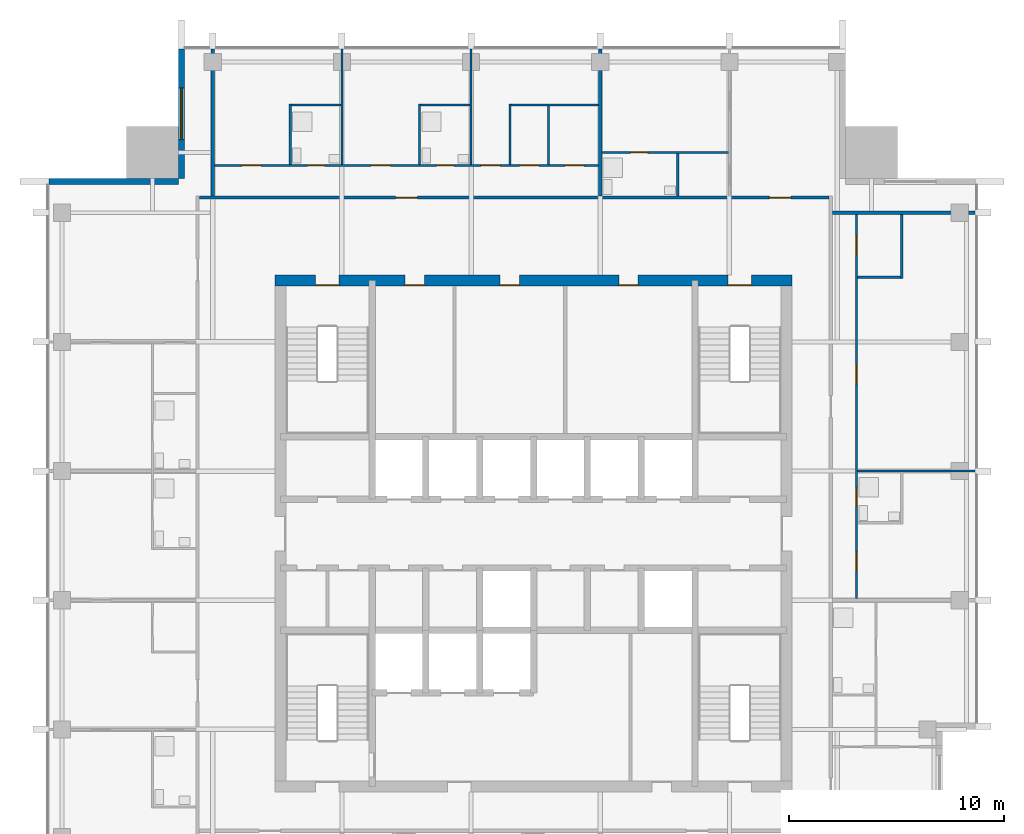
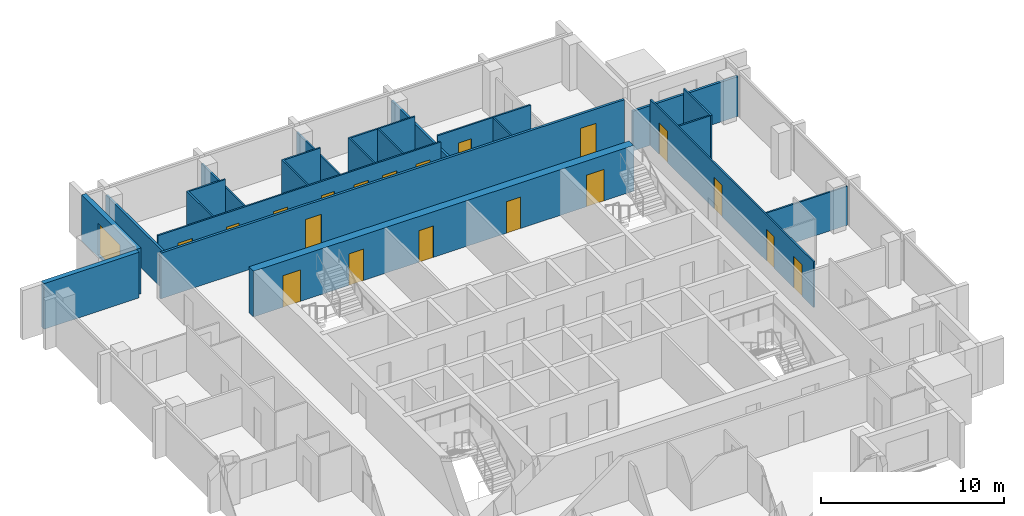
# One storey, part 6 of 9: 23 walls, 19 doors, 1 window, 20 openings.
"""IFC4 building model written with IfcOpenShell, lengths in metres."""

from ifc_helpers import new_model, si_unit, direction, frame, frame_2d, origin, place, context, subcontext, project, spatial, rectangle, extrude, material, layer, layer_set, type_object, element, fill, save


model = new_model("IFC4")

# Units and contexts
model_context = context("Model", 3, precision=1e-05, world=origin(), true_north=direction((0.0, 1.0)))
body_context = subcontext(model_context, "Body", "Model", "MODEL_VIEW")
ifc_project = project(units=[si_unit("LENGTHUNIT", "METRE"), si_unit("AREAUNIT", "SQUARE_METRE"), si_unit("VOLUMEUNIT", "CUBIC_METRE"), si_unit("PLANEANGLEUNIT", "RADIAN"), si_unit("MASSUNIT", "GRAM", prefix="KILO")], contexts=[model_context])

# Site, building, storey
site_placement = place(None, origin())
site = spatial("IfcSite", under=ifc_project, at=site_placement, CompositionType="ELEMENT")
building_placement = place(site_placement, origin())
building = spatial("IfcBuilding", under=site, at=building_placement, Name="Amberfall Residences", CompositionType="ELEMENT")
storey_placement = place(building_placement, frame((0.0, 0.0, 252.10009765625)))
storey = spatial("IfcBuildingStorey", under=building, at=storey_placement, Name="L67", CompositionType="ELEMENT", Elevation=252.10009765625)

# Wall, opening, window
ifc_material_1 = material(Name="Pale stone cladding on insulated backing", Category="masonry")
ifc_layer_1 = layer(ifc_material_1, 0.300048828125)
ifc_layer_set_1 = layer_set([ifc_layer_1], Name="Bronze clad wall 300")
wall_type_1 = type_object("IfcWallType", Name="Bronze clad wall 300", PredefinedType="SOLIDWALL", material=ifc_layer_set_1)
wall_1_placement = place(storey_placement, frame((58.14990234375, 68.0, 0.0), z_axis=(0.0, 0.0, 1.0), x_axis=(0.0, -1.0, 0.0)))
wall_1 = element("IfcWall", 1, at=wall_1_placement, inside=storey, type_object=wall_type_1, Name="External wall L67 NW", PredefinedType="SOLIDWALL", context=body_context, shape_type="SweptSolid", body=[
    extrude(rectangle(XDim=6.0, YDim=0.300048828125, at=frame_2d((3.0, 0.0))), origin(), (0.0, 0.0, 1.0), 3.0498046875),
])
opening_1_placement = place(wall_1_placement, frame((1.800048828125, 0.0, 0.14990234375)))
opening_1 = element("IfcOpeningElement", 2, at=opening_1_placement, cuts=wall_1, Name="Opening WN5", PredefinedType="OPENING", context=body_context, shape_type="SweptSolid", body=[
    extrude(rectangle(XDim=2.39990234375, YDim=2.10009765625, at=frame_2d((1.199951171875, 1.050048828125))), frame((0.0, 0.159912109375, 0.0), z_axis=(0.0, -1.0, 0.0), x_axis=(1.0, 0.0, 0.0)), (0.0, 0.0, 1.0), 0.320068359375),
])
ifc_material_2 = material(Name="Bronze aluminium framed glazing", Category="aluminium")
window_type = type_object("IfcWindowType", Name="Glazed opening 2400 x 2100 bronze", PartitioningType="DOUBLE_PANEL_VERTICAL", PredefinedType="WINDOW", material=ifc_material_2)
window_placement = place(opening_1_placement, origin())
window = element("IfcWindow", 3, at=window_placement, inside=storey, type_object=window_type, Name="Window L67 NW", OverallHeight=2.10009765625, OverallWidth=2.39990234375, PartitioningType="DOUBLE_PANEL_VERTICAL", PredefinedType="WINDOW", context=body_context, shape_type="SweptSolid", body=[
    extrude(rectangle(XDim=2.39990234375, YDim=2.10009765625, at=frame_2d((1.199951171875, 1.050048828125))), frame((0.0, 0.030029296875, 0.0), z_axis=(0.0, -1.0, 0.0), x_axis=(1.0, 0.0, 0.0)), (0.0, 0.0, 1.0), 0.06005859375),
])
fill(opening_1, window)

# Wall
wall_2_placement = place(storey_placement, frame((58.0, 61.85009765625, 0.0), z_axis=(0.0, 0.0, 1.0), x_axis=(-1.0, 0.0, 0.0)))
element("IfcWall", 4, at=wall_2_placement, inside=storey, type_object=wall_type_1, Name="External wall L67 NW", PredefinedType="SOLIDWALL", context=body_context, shape_type="SweptSolid", body=[
    extrude(rectangle(XDim=6.0, YDim=0.300048828125, at=frame_2d((3.0, 0.0))), origin(), (0.0, 0.0, 1.0), 3.0498046875),
])

# Wall, openings, doors
ifc_material_3 = material(Name="Concrete C50", Category="concrete")
ifc_layer_2 = layer(ifc_material_3, 0.5)
ifc_layer_set_2 = layer_set([ifc_layer_2], Name="Core wall 500 C50")
wall_type_2 = type_object("IfcWallType", Name="Core wall 500 C50", PredefinedType="SHEAR", material=ifc_layer_set_2)
wall_3_placement = place(storey_placement, frame((62.5, 57.25, 0.0), z_axis=(0.0, 0.0, 1.0), x_axis=(1.0, 0.0, 0.0)))
wall_3 = element("IfcWall", 5, at=wall_3_placement, inside=storey, type_object=wall_type_2, Name="Core wall RW9 L67 ON", PredefinedType="SHEAR", context=body_context, shape_type="SweptSolid", body=[
    extrude(rectangle(XDim=24.0, YDim=0.5, at=frame_2d((12.0, 0.0))), origin(), (0.0, 0.0, 1.0), 3.0498046875),
])
opening_2_placement = place(wall_3_placement, frame((21.02490234375, 0.0, 0.0)))
opening_2 = element("IfcOpeningElement", 6, at=opening_2_placement, cuts=wall_3, Name="Opening SD1", PredefinedType="OPENING", context=body_context, shape_type="SweptSolid", body=[
    extrude(rectangle(XDim=1.10009765625, YDim=2.10009765625, at=frame_2d((0.550048828125, 1.050048828125))), frame((0.0, 0.260009765625, 0.0), z_axis=(0.0, -1.0, 0.0), x_axis=(1.0, 0.0, 0.0)), (0.0, 0.0, 1.0), 0.52001953125),
])
opening_3_placement = place(wall_3_placement, frame((1.875, 0.0, 0.0)))
opening_3 = element("IfcOpeningElement", 7, at=opening_3_placement, cuts=wall_3, Name="Opening SD1", PredefinedType="OPENING", context=body_context, shape_type="SweptSolid", body=[
    extrude(rectangle(XDim=1.10009765625, YDim=2.10009765625, at=frame_2d((0.550048828125, 1.050048828125))), frame((0.0, 0.260009765625, 0.0), z_axis=(0.0, -1.0, 0.0), x_axis=(1.0, 0.0, 0.0)), (0.0, 0.0, 1.0), 0.52001953125),
])
opening_4_placement = place(wall_3_placement, frame((6.03759765625, 0.0, 0.0)))
opening_4 = element("IfcOpeningElement", 8, at=opening_4_placement, cuts=wall_3, Name="Opening RD1", PredefinedType="OPENING", context=body_context, shape_type="SweptSolid", body=[
    extrude(rectangle(XDim=0.89990234375, YDim=2.10009765625, at=frame_2d((0.449951171875, 1.050048828125))), frame((0.0, 0.260009765625, 0.0), z_axis=(0.0, -1.0, 0.0), x_axis=(1.0, 0.0, 0.0)), (0.0, 0.0, 1.0), 0.52001953125),
])
opening_5_placement = place(wall_3_placement, frame((10.447509765625, 0.0, 0.0)))
opening_5 = element("IfcOpeningElement", 9, at=opening_5_placement, cuts=wall_3, Name="Opening RD1", PredefinedType="OPENING", context=body_context, shape_type="SweptSolid", body=[
    extrude(rectangle(XDim=0.89990234375, YDim=2.10009765625, at=frame_2d((0.449951171875, 1.050048828125))), frame((0.0, 0.260009765625, 0.0), z_axis=(0.0, -1.0, 0.0), x_axis=(1.0, 0.0, 0.0)), (0.0, 0.0, 1.0), 0.52001953125),
])
opening_6_placement = place(wall_3_placement, frame((15.9599609375, 0.0, 0.0)))
opening_6 = element("IfcOpeningElement", 10, at=opening_6_placement, cuts=wall_3, Name="Opening RD1", PredefinedType="OPENING", context=body_context, shape_type="SweptSolid", body=[
    extrude(rectangle(XDim=0.89990234375, YDim=2.10009765625, at=frame_2d((0.449951171875, 1.050048828125))), frame((0.0, 0.260009765625, 0.0), z_axis=(0.0, -1.0, 0.0), x_axis=(1.0, 0.0, 0.0)), (0.0, 0.0, 1.0), 0.52001953125),
])
ifc_material_4 = material(Name="Steel fire door set", Category="steel")
door_type_1 = type_object("IfcDoorType", Name="Service room door 900 x 2100", OperationType="SINGLE_SWING_LEFT", PredefinedType="DOOR", material=ifc_material_4)
door_1_placement = place(opening_4_placement, origin())
door_1 = element("IfcDoor", 11, at=door_1_placement, inside=storey, type_object=door_type_1, Name="RD1 L67", OperationType="SINGLE_SWING_RIGHT", OverallHeight=2.10009765625, OverallWidth=0.89990234375, PredefinedType="DOOR", context=body_context, shape_type="SweptSolid", body=[
    extrude(rectangle(XDim=0.89990234375, YDim=2.10009765625, at=frame_2d((0.449951171875, 1.050048828125))), frame((0.0, -0.1875, 0.0), z_axis=(0.0, -1.0, 0.0), x_axis=(1.0, 0.0, 0.0)), (0.0, 0.0, 1.0), 0.050048828125),
])
fill(opening_4, door_1)
door_2_placement = place(opening_5_placement, origin())
door_2 = element("IfcDoor", 12, at=door_2_placement, inside=storey, type_object=door_type_1, Name="RD1 L67", OperationType="SINGLE_SWING_RIGHT", OverallHeight=2.10009765625, OverallWidth=0.89990234375, PredefinedType="DOOR", context=body_context, shape_type="SweptSolid", body=[
    extrude(rectangle(XDim=0.89990234375, YDim=2.10009765625, at=frame_2d((0.449951171875, 1.050048828125))), frame((0.0, -0.1875, 0.0), z_axis=(0.0, -1.0, 0.0), x_axis=(1.0, 0.0, 0.0)), (0.0, 0.0, 1.0), 0.050048828125),
])
fill(opening_5, door_2)
door_3_placement = place(opening_6_placement, origin())
door_3 = element("IfcDoor", 13, at=door_3_placement, inside=storey, type_object=door_type_1, Name="RD1 L67", OperationType="SINGLE_SWING_RIGHT", OverallHeight=2.10009765625, OverallWidth=0.89990234375, PredefinedType="DOOR", context=body_context, shape_type="SweptSolid", body=[
    extrude(rectangle(XDim=0.89990234375, YDim=2.10009765625, at=frame_2d((0.449951171875, 1.050048828125))), frame((0.0, -0.1875, 0.0), z_axis=(0.0, -1.0, 0.0), x_axis=(1.0, 0.0, 0.0)), (0.0, 0.0, 1.0), 0.050048828125),
])
fill(opening_6, door_3)
door_type_2 = type_object("IfcDoorType", Name="Stair door 1100 x 2100", OperationType="SINGLE_SWING_LEFT", PredefinedType="DOOR", material=ifc_material_4)
door_4_placement = place(opening_2_placement, origin())
door_4 = element("IfcDoor", 14, at=door_4_placement, inside=storey, type_object=door_type_2, Name="SD1 L67", OperationType="SINGLE_SWING_RIGHT", OverallHeight=2.10009765625, OverallWidth=1.10009765625, PredefinedType="DOOR", context=body_context, shape_type="SweptSolid", body=[
    extrude(rectangle(XDim=1.10009765625, YDim=2.10009765625, at=frame_2d((0.550048828125, 1.050048828125))), frame((0.0, -0.1875, 0.0), z_axis=(0.0, -1.0, 0.0), x_axis=(1.0, 0.0, 0.0)), (0.0, 0.0, 1.0), 0.050048828125),
])
fill(opening_2, door_4)
door_5_placement = place(opening_3_placement, origin())
door_5 = element("IfcDoor", 15, at=door_5_placement, inside=storey, type_object=door_type_2, Name="SD1 L67", OperationType="SINGLE_SWING_LEFT", OverallHeight=2.10009765625, OverallWidth=1.10009765625, PredefinedType="DOOR", context=body_context, shape_type="SweptSolid", body=[
    extrude(rectangle(XDim=1.10009765625, YDim=2.10009765625, at=frame_2d((0.550048828125, 1.050048828125))), frame((0.0, -0.1875, 0.0), z_axis=(0.0, -1.0, 0.0), x_axis=(1.0, 0.0, 0.0)), (0.0, 0.0, 1.0), 0.050048828125),
])
fill(opening_3, door_5)

# Walls
ifc_material_5 = material(Name="Gypsum board on metal stud")
ifc_layer_3 = layer(ifc_material_5, 0.10009765625)
ifc_layer_set_3 = layer_set([ifc_layer_3], Name="Flat partition 100")
wall_type_3 = type_object("IfcWallType", Name="Flat partition 100", PredefinedType="PARTITIONING", material=ifc_layer_set_3)
wall_4_placement = place(storey_placement, frame((63.199951171875, 62.64990234375, 0.0), z_axis=(0.0, 0.0, 1.0), x_axis=(0.0, 1.0, 0.0)))
element("IfcWall", 16, at=wall_4_placement, inside=storey, type_object=wall_type_3, Name="Partition 004", PredefinedType="PARTITIONING", context=body_context, shape_type="SweptSolid", body=[
    extrude(rectangle(XDim=2.800048828125, YDim=0.10009765625, at=frame_2d((1.39990234375, 0.0))), origin(), (0.0, 0.0, 1.0), 3.0498046875),
])
wall_5_placement = place(storey_placement, frame((65.60009765625, 62.64990234375, 0.0), z_axis=(0.0, 0.0, 1.0), x_axis=(0.0, 1.0, 0.0)))
element("IfcWall", 17, at=wall_5_placement, inside=storey, type_object=wall_type_3, Name="Partition 006", PredefinedType="PARTITIONING", context=body_context, shape_type="SweptSolid", body=[
    extrude(rectangle(XDim=5.35009765625, YDim=0.10009765625, at=frame_2d((2.675048828125, 0.0))), origin(), (0.0, 0.0, 1.0), 2.515869140625),
])
wall_6_placement = place(storey_placement, frame((69.199951171875, 62.64990234375, 0.0), z_axis=(0.0, 0.0, 1.0), x_axis=(0.0, 1.0, 0.0)))
element("IfcWall", 18, at=wall_6_placement, inside=storey, type_object=wall_type_3, Name="Partition 008", PredefinedType="PARTITIONING", context=body_context, shape_type="SweptSolid", body=[
    extrude(rectangle(XDim=2.800048828125, YDim=0.10009765625, at=frame_2d((1.39990234375, 0.0))), origin(), (0.0, 0.0, 1.0), 3.0498046875),
])
wall_7_placement = place(storey_placement, frame((71.60009765625, 62.64990234375, 0.0), z_axis=(0.0, 0.0, 1.0), x_axis=(0.0, 1.0, 0.0)))
element("IfcWall", 19, at=wall_7_placement, inside=storey, type_object=wall_type_3, Name="Partition 009", PredefinedType="PARTITIONING", context=body_context, shape_type="SweptSolid", body=[
    extrude(rectangle(XDim=5.35009765625, YDim=0.10009765625, at=frame_2d((2.675048828125, 0.0))), origin(), (0.0, 0.0, 1.0), 2.515869140625),
])
wall_8_placement = place(storey_placement, frame((73.39990234375, 62.64990234375, 0.0), z_axis=(0.0, 0.0, 1.0), x_axis=(0.0, 1.0, 0.0)))
element("IfcWall", 20, at=wall_8_placement, inside=storey, type_object=wall_type_3, Name="Partition 010", PredefinedType="PARTITIONING", context=body_context, shape_type="SweptSolid", body=[
    extrude(rectangle(XDim=2.800048828125, YDim=0.10009765625, at=frame_2d((1.39990234375, 0.0))), origin(), (0.0, 0.0, 1.0), 3.0498046875),
])
wall_9_placement = place(storey_placement, frame((75.199951171875, 62.64990234375, 0.0), z_axis=(0.0, 0.0, 1.0), x_axis=(0.0, 1.0, 0.0)))
element("IfcWall", 21, at=wall_9_placement, inside=storey, type_object=wall_type_3, Name="Partition 012", PredefinedType="PARTITIONING", context=body_context, shape_type="SweptSolid", body=[
    extrude(rectangle(XDim=2.7001953125, YDim=0.10009765625, at=frame_2d((1.35009765625, 0.0))), origin(), (0.0, 0.0, 1.0), 3.0498046875),
])
wall_10_placement = place(storey_placement, frame((81.199951171875, 61.175048828125, 0.0), z_axis=(0.0, 0.0, 1.0), x_axis=(0.0, 1.0, 0.0)))
element("IfcWall", 22, at=wall_10_placement, inside=storey, type_object=wall_type_3, Name="Partition 014", PredefinedType="PARTITIONING", context=body_context, shape_type="SweptSolid", body=[
    extrude(rectangle(XDim=1.974853515625, YDim=0.10009765625, at=frame_2d((0.9873046875, 0.0))), origin(), (0.0, 0.0, 1.0), 3.0498046875),
])

# Wall, openings, doors
wall_11_placement = place(storey_placement, frame((89.5, 60.324951171875, 0.0), z_axis=(0.0, 0.0, 1.0), x_axis=(0.0, -1.0, 0.0)))
wall_11 = element("IfcWall", 23, at=wall_11_placement, inside=storey, type_object=wall_type_3, Name="Partition 017", PredefinedType="PARTITIONING", context=body_context, shape_type="SweptSolid", body=[
    extrude(rectangle(XDim=17.849853515625, YDim=0.10009765625, at=frame_2d((8.9248046875, 0.0))), origin(), (0.0, 0.0, 1.0), 3.0498046875),
])
opening_7_placement = place(wall_11_placement, frame((6.97509765625, 0.0, 0.0)))
opening_7 = element("IfcOpeningElement", 24, at=opening_7_placement, cuts=wall_11, Name="Opening D41", PredefinedType="OPENING", context=body_context, shape_type="SweptSolid", body=[
    extrude(rectangle(XDim=0.89990234375, YDim=2.10009765625, at=frame_2d((0.449951171875, 1.050048828125))), frame((0.0, 0.06005859375, 0.0), z_axis=(0.0, -1.0, 0.0), x_axis=(1.0, 0.0, 0.0)), (0.0, 0.0, 1.0), 0.1201171875),
])
opening_8_placement = place(wall_11_placement, frame((0.97509765625, 0.0, 0.0)))
opening_8 = element("IfcOpeningElement", 25, at=opening_8_placement, cuts=wall_11, Name="Opening D41", PredefinedType="OPENING", context=body_context, shape_type="SweptSolid", body=[
    extrude(rectangle(XDim=0.89990234375, YDim=2.10009765625, at=frame_2d((0.449951171875, 1.050048828125))), frame((0.0, 0.06005859375, 0.0), z_axis=(0.0, -1.0, 0.0), x_axis=(1.0, 0.0, 0.0)), (0.0, 0.0, 1.0), 0.1201171875),
])
opening_9_placement = place(wall_11_placement, frame((15.675048828125, 0.0, 0.0)))
opening_9 = element("IfcOpeningElement", 26, at=opening_9_placement, cuts=wall_11, Name="Opening D41", PredefinedType="OPENING", context=body_context, shape_type="SweptSolid", body=[
    extrude(rectangle(XDim=0.89990234375, YDim=2.10009765625, at=frame_2d((0.449951171875, 1.050048828125))), frame((0.0, 0.06005859375, 0.0), z_axis=(0.0, -1.0, 0.0), x_axis=(1.0, 0.0, 0.0)), (0.0, 0.0, 1.0), 0.1201171875),
])
opening_10_placement = place(wall_11_placement, frame((12.72509765625, 0.0, 0.0)))
opening_10 = element("IfcOpeningElement", 27, at=opening_10_placement, cuts=wall_11, Name="Opening D42", PredefinedType="OPENING", context=body_context, shape_type="SweptSolid", body=[
    extrude(rectangle(XDim=0.800048828125, YDim=2.10009765625, at=frame_2d((0.39990234375, 1.050048828125))), frame((0.0, 0.06005859375, 0.0), z_axis=(0.0, -1.0, 0.0), x_axis=(1.0, 0.0, 0.0)), (0.0, 0.0, 1.0), 0.1201171875),
])
ifc_material_6 = material(Name="Timber", Category="wood")
door_type_3 = type_object("IfcDoorType", Name="Bathroom door 800 x 2100", OperationType="SINGLE_SWING_LEFT", PredefinedType="DOOR", material=ifc_material_6)
door_6_placement = place(opening_10_placement, origin())
door_6 = element("IfcDoor", 28, at=door_6_placement, inside=storey, type_object=door_type_3, Name="Door 6704 bath1", OperationType="SINGLE_SWING_LEFT", OverallHeight=2.10009765625, OverallWidth=0.800048828125, PredefinedType="DOOR", context=body_context, shape_type="SweptSolid", body=[
    extrude(rectangle(XDim=0.800048828125, YDim=2.10009765625, at=frame_2d((0.39990234375, 1.050048828125))), frame((0.0, 0.02490234375, 0.0), z_axis=(0.0, -1.0, 0.0), x_axis=(1.0, 0.0, 0.0)), (0.0, 0.0, 1.0), 0.050048828125),
])
fill(opening_10, door_6)
door_type_4 = type_object("IfcDoorType", Name="Internal door 900 x 2100", OperationType="SINGLE_SWING_LEFT", PredefinedType="DOOR", material=ifc_material_6)
door_7_placement = place(opening_7_placement, origin())
door_7 = element("IfcDoor", 29, at=door_7_placement, inside=storey, type_object=door_type_4, Name="Door 6704 living", OperationType="SINGLE_SWING_LEFT", OverallHeight=2.10009765625, OverallWidth=0.89990234375, PredefinedType="DOOR", context=body_context, shape_type="SweptSolid", body=[
    extrude(rectangle(XDim=0.89990234375, YDim=2.10009765625, at=frame_2d((0.449951171875, 1.050048828125))), frame((0.0, 0.02490234375, 0.0), z_axis=(0.0, -1.0, 0.0), x_axis=(1.0, 0.0, 0.0)), (0.0, 0.0, 1.0), 0.050048828125),
])
fill(opening_7, door_7)
door_8_placement = place(opening_8_placement, origin())
door_8 = element("IfcDoor", 30, at=door_8_placement, inside=storey, type_object=door_type_4, Name="Door 6704 kitchen", OperationType="SINGLE_SWING_LEFT", OverallHeight=2.10009765625, OverallWidth=0.89990234375, PredefinedType="DOOR", context=body_context, shape_type="SweptSolid", body=[
    extrude(rectangle(XDim=0.89990234375, YDim=2.10009765625, at=frame_2d((0.449951171875, 1.050048828125))), frame((0.0, 0.02490234375, 0.0), z_axis=(0.0, -1.0, 0.0), x_axis=(1.0, 0.0, 0.0)), (0.0, 0.0, 1.0), 0.050048828125),
])
fill(opening_8, door_8)
door_9_placement = place(opening_9_placement, origin())
door_9 = element("IfcDoor", 31, at=door_9_placement, inside=storey, type_object=door_type_4, Name="Door 6704 bedroom1", OperationType="SINGLE_SWING_LEFT", OverallHeight=2.10009765625, OverallWidth=0.89990234375, PredefinedType="DOOR", context=body_context, shape_type="SweptSolid", body=[
    extrude(rectangle(XDim=0.89990234375, YDim=2.10009765625, at=frame_2d((0.449951171875, 1.050048828125))), frame((0.0, 0.02490234375, 0.0), z_axis=(0.0, -1.0, 0.0), x_axis=(1.0, 0.0, 0.0)), (0.0, 0.0, 1.0), 0.050048828125),
])
fill(opening_9, door_9)

# Walls
wall_12_placement = place(storey_placement, frame((91.60009765625, 57.35009765625, 0.0), z_axis=(0.0, 0.0, 1.0), x_axis=(0.0, 1.0, 0.0)))
element("IfcWall", 32, at=wall_12_placement, inside=storey, type_object=wall_type_3, Name="Partition 020", PredefinedType="PARTITIONING", context=body_context, shape_type="SweptSolid", body=[
    extrude(rectangle(XDim=2.974853515625, YDim=0.10009765625, at=frame_2d((1.4873046875, 0.0))), origin(), (0.0, 0.0, 1.0), 3.0498046875),
])
for number, where, z_axis, x_axis, name in (
    (33, (63.25, 65.39990234375, 0.0), (0.0, 0.0, 1.0), (1.0, 0.0, 0.0), "Partition 021"),
    (34, (69.25, 65.39990234375, 0.0), (0.0, 0.0, 1.0), (1.0, 0.0, 0.0), "Partition 022"),
):
    element("IfcWall", number, at=place(storey_placement, frame(where, z_axis=z_axis, x_axis=x_axis)), inside=storey, type_object=wall_type_3, Name=name, PredefinedType="PARTITIONING", context=body_context, shape_type="SweptSolid", body=[
        extrude(rectangle(XDim=2.300048828125, YDim=0.10009765625, at=frame_2d((1.14990234375, 0.0))), origin(), (0.0, 0.0, 1.0), 3.0498046875),
    ])
wall_13_placement = place(storey_placement, frame((73.449951171875, 65.39990234375, 0.0), z_axis=(0.0, 0.0, 1.0), x_axis=(1.0, 0.0, 0.0)))
element("IfcWall", 35, at=wall_13_placement, inside=storey, type_object=wall_type_3, Name="Partition 023", PredefinedType="PARTITIONING", context=body_context, shape_type="SweptSolid", body=[
    extrude(rectangle(XDim=4.074951171875, YDim=0.10009765625, at=frame_2d((2.03759765625, 0.0))), origin(), (0.0, 0.0, 1.0), 3.0498046875),
])

# Wall, opening, door
wall_14_placement = place(storey_placement, frame((83.550048828125, 63.199951171875, 0.0), z_axis=(0.0, 0.0, 1.0), x_axis=(-1.0, 0.0, 0.0)))
wall_14 = element("IfcWall", 36, at=wall_14_placement, inside=storey, type_object=wall_type_3, Name="Partition 024", PredefinedType="PARTITIONING", context=body_context, shape_type="SweptSolid", body=[
    extrude(rectangle(XDim=5.875, YDim=0.10009765625, at=frame_2d((2.9375, 0.0))), origin(), (0.0, 0.0, 1.0), 3.0498046875),
])
opening_11_placement = place(wall_14_placement, frame((3.75, 0.0, 0.0)))
opening_11 = element("IfcOpeningElement", 37, at=opening_11_placement, cuts=wall_14, Name="Opening D42", PredefinedType="OPENING", context=body_context, shape_type="SweptSolid", body=[
    extrude(rectangle(XDim=0.800048828125, YDim=2.10009765625, at=frame_2d((0.39990234375, 1.050048828125))), frame((0.0, 0.06005859375, 0.0), z_axis=(0.0, -1.0, 0.0), x_axis=(1.0, 0.0, 0.0)), (0.0, 0.0, 1.0), 0.1201171875),
])
door_10_placement = place(opening_11_placement, origin())
door_10 = element("IfcDoor", 38, at=door_10_placement, inside=storey, type_object=door_type_3, Name="Door 6706 bath1", OperationType="SINGLE_SWING_LEFT", OverallHeight=2.10009765625, OverallWidth=0.800048828125, PredefinedType="DOOR", context=body_context, shape_type="SweptSolid", body=[
    extrude(rectangle(XDim=0.800048828125, YDim=2.10009765625, at=frame_2d((0.39990234375, 1.050048828125))), frame((0.0, 0.02490234375, 0.0), z_axis=(0.0, -1.0, 0.0), x_axis=(1.0, 0.0, 0.0)), (0.0, 0.0, 1.0), 0.050048828125),
])
fill(opening_11, door_10)

# Wall, openings, doors
wall_15_placement = place(storey_placement, frame((59.675048828125, 62.60009765625, 0.0), z_axis=(0.0, 0.0, 1.0), x_axis=(1.0, 0.0, 0.0)))
wall_15 = element("IfcWall", 39, at=wall_15_placement, inside=storey, type_object=wall_type_3, Name="Partition 025", PredefinedType="PARTITIONING", context=body_context, shape_type="SweptSolid", body=[
    extrude(rectangle(XDim=17.849853515625, YDim=0.10009765625, at=frame_2d((8.9248046875, 0.0))), origin(), (0.0, 0.0, 1.0), 3.0498046875),
])
opening_12_placement = place(wall_15_placement, frame((12.375, 0.0, 0.0)))
opening_12 = element("IfcOpeningElement", 40, at=opening_12_placement, cuts=wall_15, Name="Opening D41", PredefinedType="OPENING", context=body_context, shape_type="SweptSolid", body=[
    extrude(rectangle(XDim=0.89990234375, YDim=2.10009765625, at=frame_2d((0.449951171875, 1.050048828125))), frame((0.0, 0.06005859375, 0.0), z_axis=(0.0, -1.0, 0.0), x_axis=(1.0, 0.0, 0.0)), (0.0, 0.0, 1.0), 0.1201171875),
])
opening_13_placement = place(wall_15_placement, frame((16.27490234375, 0.0, 0.0)))
opening_13 = element("IfcOpeningElement", 41, at=opening_13_placement, cuts=wall_15, Name="Opening D41", PredefinedType="OPENING", context=body_context, shape_type="SweptSolid", body=[
    extrude(rectangle(XDim=0.89990234375, YDim=2.10009765625, at=frame_2d((0.449951171875, 1.050048828125))), frame((0.0, 0.06005859375, 0.0), z_axis=(0.0, -1.0, 0.0), x_axis=(1.0, 0.0, 0.0)), (0.0, 0.0, 1.0), 0.1201171875),
])
opening_14_placement = place(wall_15_placement, frame((14.175048828125, 0.0, 0.0)))
opening_14 = element("IfcOpeningElement", 42, at=opening_14_placement, cuts=wall_15, Name="Opening D41", PredefinedType="OPENING", context=body_context, shape_type="SweptSolid", body=[
    extrude(rectangle(XDim=0.89990234375, YDim=2.10009765625, at=frame_2d((0.449951171875, 1.050048828125))), frame((0.0, 0.06005859375, 0.0), z_axis=(0.0, -1.0, 0.0), x_axis=(1.0, 0.0, 0.0)), (0.0, 0.0, 1.0), 0.1201171875),
])
opening_15_placement = place(wall_15_placement, frame((1.27490234375, 0.0, 0.0)))
opening_15 = element("IfcOpeningElement", 43, at=opening_15_placement, cuts=wall_15, Name="Opening D41", PredefinedType="OPENING", context=body_context, shape_type="SweptSolid", body=[
    extrude(rectangle(XDim=0.89990234375, YDim=2.10009765625, at=frame_2d((0.449951171875, 1.050048828125))), frame((0.0, 0.06005859375, 0.0), z_axis=(0.0, -1.0, 0.0), x_axis=(1.0, 0.0, 0.0)), (0.0, 0.0, 1.0), 0.1201171875),
])
opening_16_placement = place(wall_15_placement, frame((7.27490234375, 0.0, 0.0)))
opening_16 = element("IfcOpeningElement", 44, at=opening_16_placement, cuts=wall_15, Name="Opening D41", PredefinedType="OPENING", context=body_context, shape_type="SweptSolid", body=[
    extrude(rectangle(XDim=0.89990234375, YDim=2.10009765625, at=frame_2d((0.449951171875, 1.050048828125))), frame((0.0, 0.06005859375, 0.0), z_axis=(0.0, -1.0, 0.0), x_axis=(1.0, 0.0, 0.0)), (0.0, 0.0, 1.0), 0.1201171875),
])
opening_17_placement = place(wall_15_placement, frame((4.324951171875, 0.0, 0.0)))
opening_17 = element("IfcOpeningElement", 45, at=opening_17_placement, cuts=wall_15, Name="Opening D42", PredefinedType="OPENING", context=body_context, shape_type="SweptSolid", body=[
    extrude(rectangle(XDim=0.800048828125, YDim=2.10009765625, at=frame_2d((0.39990234375, 1.050048828125))), frame((0.0, 0.06005859375, 0.0), z_axis=(0.0, -1.0, 0.0), x_axis=(1.0, 0.0, 0.0)), (0.0, 0.0, 1.0), 0.1201171875),
])
opening_18_placement = place(wall_15_placement, frame((10.324951171875, 0.0, 0.0)))
opening_18 = element("IfcOpeningElement", 46, at=opening_18_placement, cuts=wall_15, Name="Opening D42", PredefinedType="OPENING", context=body_context, shape_type="SweptSolid", body=[
    extrude(rectangle(XDim=0.800048828125, YDim=2.10009765625, at=frame_2d((0.39990234375, 1.050048828125))), frame((0.0, 0.06005859375, 0.0), z_axis=(0.0, -1.0, 0.0), x_axis=(1.0, 0.0, 0.0)), (0.0, 0.0, 1.0), 0.1201171875),
])
door_11_placement = place(opening_17_placement, origin())
door_11 = element("IfcDoor", 47, at=door_11_placement, inside=storey, type_object=door_type_3, Name="Door 6705 bath1", OperationType="SINGLE_SWING_LEFT", OverallHeight=2.10009765625, OverallWidth=0.800048828125, PredefinedType="DOOR", context=body_context, shape_type="SweptSolid", body=[
    extrude(rectangle(XDim=0.800048828125, YDim=2.10009765625, at=frame_2d((0.39990234375, 1.050048828125))), frame((0.0, 0.02490234375, 0.0), z_axis=(0.0, -1.0, 0.0), x_axis=(1.0, 0.0, 0.0)), (0.0, 0.0, 1.0), 0.050048828125),
])
fill(opening_17, door_11)
door_12_placement = place(opening_18_placement, origin())
door_12 = element("IfcDoor", 48, at=door_12_placement, inside=storey, type_object=door_type_3, Name="Door 6705 bath2", OperationType="SINGLE_SWING_LEFT", OverallHeight=2.10009765625, OverallWidth=0.800048828125, PredefinedType="DOOR", context=body_context, shape_type="SweptSolid", body=[
    extrude(rectangle(XDim=0.800048828125, YDim=2.10009765625, at=frame_2d((0.39990234375, 1.050048828125))), frame((0.0, 0.02490234375, 0.0), z_axis=(0.0, -1.0, 0.0), x_axis=(1.0, 0.0, 0.0)), (0.0, 0.0, 1.0), 0.050048828125),
])
fill(opening_18, door_12)
door_13_placement = place(opening_12_placement, origin())
door_13 = element("IfcDoor", 49, at=door_13_placement, inside=storey, type_object=door_type_4, Name="Door 6705 living", OperationType="SINGLE_SWING_LEFT", OverallHeight=2.10009765625, OverallWidth=0.89990234375, PredefinedType="DOOR", context=body_context, shape_type="SweptSolid", body=[
    extrude(rectangle(XDim=0.89990234375, YDim=2.10009765625, at=frame_2d((0.449951171875, 1.050048828125))), frame((0.0, 0.02490234375, 0.0), z_axis=(0.0, -1.0, 0.0), x_axis=(1.0, 0.0, 0.0)), (0.0, 0.0, 1.0), 0.050048828125),
])
fill(opening_12, door_13)
door_14_placement = place(opening_13_placement, origin())
door_14 = element("IfcDoor", 50, at=door_14_placement, inside=storey, type_object=door_type_4, Name="Door 6705 kitchen", OperationType="SINGLE_SWING_LEFT", OverallHeight=2.10009765625, OverallWidth=0.89990234375, PredefinedType="DOOR", context=body_context, shape_type="SweptSolid", body=[
    extrude(rectangle(XDim=0.89990234375, YDim=2.10009765625, at=frame_2d((0.449951171875, 1.050048828125))), frame((0.0, 0.02490234375, 0.0), z_axis=(0.0, -1.0, 0.0), x_axis=(1.0, 0.0, 0.0)), (0.0, 0.0, 1.0), 0.050048828125),
])
fill(opening_13, door_14)
door_15_placement = place(opening_14_placement, origin())
door_15 = element("IfcDoor", 51, at=door_15_placement, inside=storey, type_object=door_type_4, Name="Door 6705 utility", OperationType="SINGLE_SWING_LEFT", OverallHeight=2.10009765625, OverallWidth=0.89990234375, PredefinedType="DOOR", context=body_context, shape_type="SweptSolid", body=[
    extrude(rectangle(XDim=0.89990234375, YDim=2.10009765625, at=frame_2d((0.449951171875, 1.050048828125))), frame((0.0, 0.02490234375, 0.0), z_axis=(0.0, -1.0, 0.0), x_axis=(1.0, 0.0, 0.0)), (0.0, 0.0, 1.0), 0.050048828125),
])
fill(opening_14, door_15)
door_16_placement = place(opening_15_placement, origin())
door_16 = element("IfcDoor", 52, at=door_16_placement, inside=storey, type_object=door_type_4, Name="Door 6705 bedroom1", OperationType="SINGLE_SWING_LEFT", OverallHeight=2.10009765625, OverallWidth=0.89990234375, PredefinedType="DOOR", context=body_context, shape_type="SweptSolid", body=[
    extrude(rectangle(XDim=0.89990234375, YDim=2.10009765625, at=frame_2d((0.449951171875, 1.050048828125))), frame((0.0, 0.02490234375, 0.0), z_axis=(0.0, -1.0, 0.0), x_axis=(1.0, 0.0, 0.0)), (0.0, 0.0, 1.0), 0.050048828125),
])
fill(opening_15, door_16)
door_17_placement = place(opening_16_placement, origin())
door_17 = element("IfcDoor", 53, at=door_17_placement, inside=storey, type_object=door_type_4, Name="Door 6705 bedroom2", OperationType="SINGLE_SWING_LEFT", OverallHeight=2.10009765625, OverallWidth=0.89990234375, PredefinedType="DOOR", context=body_context, shape_type="SweptSolid", body=[
    extrude(rectangle(XDim=0.89990234375, YDim=2.10009765625, at=frame_2d((0.449951171875, 1.050048828125))), frame((0.0, 0.02490234375, 0.0), z_axis=(0.0, -1.0, 0.0), x_axis=(1.0, 0.0, 0.0)), (0.0, 0.0, 1.0), 0.050048828125),
])
fill(opening_16, door_17)

# Walls
wall_16_placement = place(storey_placement, frame((89.550048828125, 57.39990234375, 0.0), z_axis=(0.0, 0.0, 1.0), x_axis=(1.0, 0.0, 0.0)))
element("IfcWall", 54, at=wall_16_placement, inside=storey, type_object=wall_type_3, Name="Partition 026", PredefinedType="PARTITIONING", context=body_context, shape_type="SweptSolid", body=[
    extrude(rectangle(XDim=2.0, YDim=0.10009765625, at=frame_2d((1.0, 0.0))), origin(), (0.0, 0.0, 1.0), 3.0498046875),
])
wall_17_placement = place(storey_placement, frame((89.550048828125, 48.39990234375, 0.0), z_axis=(0.0, 0.0, 1.0), x_axis=(1.0, 0.0, 0.0)))
element("IfcWall", 55, at=wall_17_placement, inside=storey, type_object=wall_type_3, Name="Partition 029", PredefinedType="PARTITIONING", context=body_context, shape_type="SweptSolid", body=[
    extrude(rectangle(XDim=5.449951171875, YDim=0.10009765625, at=frame_2d((2.72509765625, 0.0))), origin(), (0.0, 0.0, 1.0), 2.58984375),
])
ifc_material_7 = material(Name="Blockwork, plastered", Category="masonry")
ifc_layer_4 = layer(ifc_material_7, 0.14990234375)
ifc_layer_set_4 = layer_set([ifc_layer_4], Name="Flat separating wall 150")
wall_type_4 = type_object("IfcWallType", Name="Flat separating wall 150", PredefinedType="PARTITIONING", material=ifc_layer_set_4)
wall_18_placement = place(storey_placement, frame((59.60009765625, 61.175048828125, 0.0), z_axis=(0.0, 0.0, 1.0), x_axis=(0.0, 1.0, 0.0)))
element("IfcWall", 56, at=wall_18_placement, inside=storey, type_object=wall_type_4, Name="Separating wall 042", PredefinedType="PARTITIONING", context=body_context, shape_type="SweptSolid", body=[
    extrude(rectangle(XDim=6.824951171875, YDim=0.14990234375, at=frame_2d((3.41259765625, 0.0))), origin(), (0.0, 0.0, 1.0), 2.510009765625),
])
wall_19_placement = place(storey_placement, frame((77.60009765625, 61.175048828125, 0.0), z_axis=(0.0, 0.0, 1.0), x_axis=(0.0, 1.0, 0.0)))
element("IfcWall", 57, at=wall_19_placement, inside=storey, type_object=wall_type_4, Name="Separating wall 044", PredefinedType="PARTITIONING", context=body_context, shape_type="SweptSolid", body=[
    extrude(rectangle(XDim=6.824951171875, YDim=0.14990234375, at=frame_2d((3.41259765625, 0.0))), origin(), (0.0, 0.0, 1.0), 2.515869140625),
])

# Wall, openings, doors
wall_20_placement = place(storey_placement, frame((58.97509765625, 61.10009765625, 0.0), z_axis=(0.0, 0.0, 1.0), x_axis=(1.0, 0.0, 0.0)))
wall_20 = element("IfcWall", 58, at=wall_20_placement, inside=storey, type_object=wall_type_4, Name="Separating wall 047", PredefinedType="PARTITIONING", context=body_context, shape_type="SweptSolid", body=[
    extrude(rectangle(XDim=29.25, YDim=0.14990234375, at=frame_2d((14.625, 0.0))), origin(), (0.0, 0.0, 1.0), 3.0498046875),
])
opening_19_placement = place(wall_20_placement, frame((9.125, 0.0, 0.0)))
opening_19 = element("IfcOpeningElement", 59, at=opening_19_placement, cuts=wall_20, Name="Opening D40", PredefinedType="OPENING", context=body_context, shape_type="SweptSolid", body=[
    extrude(rectangle(XDim=1.0, YDim=2.10009765625, at=frame_2d((0.5, 1.050048828125))), frame((0.0, 0.0849609375, 0.0), z_axis=(0.0, -1.0, 0.0), x_axis=(1.0, 0.0, 0.0)), (0.0, 0.0, 1.0), 0.169921875),
])
opening_20_placement = place(wall_20_placement, frame((26.47509765625, 0.0, 0.0)))
opening_20 = element("IfcOpeningElement", 60, at=opening_20_placement, cuts=wall_20, Name="Opening D40", PredefinedType="OPENING", context=body_context, shape_type="SweptSolid", body=[
    extrude(rectangle(XDim=1.0, YDim=2.10009765625, at=frame_2d((0.5, 1.050048828125))), frame((0.0, 0.0849609375, 0.0), z_axis=(0.0, -1.0, 0.0), x_axis=(1.0, 0.0, 0.0)), (0.0, 0.0, 1.0), 0.169921875),
])
ifc_material_8 = material(Name="Timber, fire-rated", Category="wood")
door_type_5 = type_object("IfcDoorType", Name="Flat entrance door FD60 1000 x 2100", OperationType="SINGLE_SWING_LEFT", PredefinedType="DOOR", material=ifc_material_8)
door_18_placement = place(opening_19_placement, origin())
door_18 = element("IfcDoor", 61, at=door_18_placement, inside=storey, type_object=door_type_5, Name="Door 6705 entrance", OperationType="SINGLE_SWING_LEFT", OverallHeight=2.10009765625, OverallWidth=1.0, PredefinedType="DOOR", context=body_context, shape_type="SweptSolid", body=[
    extrude(rectangle(XDim=1.0, YDim=2.10009765625, at=frame_2d((0.5, 1.050048828125))), frame((0.0, 0.02490234375, 0.0), z_axis=(0.0, -1.0, 0.0), x_axis=(1.0, 0.0, 0.0)), (0.0, 0.0, 1.0), 0.050048828125),
])
fill(opening_19, door_18)
door_19_placement = place(opening_20_placement, origin())
door_19 = element("IfcDoor", 62, at=door_19_placement, inside=storey, type_object=door_type_5, Name="Door 6706 entrance", OperationType="SINGLE_SWING_LEFT", OverallHeight=2.10009765625, OverallWidth=1.0, PredefinedType="DOOR", context=body_context, shape_type="SweptSolid", body=[
    extrude(rectangle(XDim=1.0, YDim=2.10009765625, at=frame_2d((0.5, 1.050048828125))), frame((0.0, 0.02490234375, 0.0), z_axis=(0.0, -1.0, 0.0), x_axis=(1.0, 0.0, 0.0)), (0.0, 0.0, 1.0), 0.050048828125),
])
fill(opening_20, door_19)

# Wall
wall_21_placement = place(storey_placement, frame((88.375, 60.39990234375, 0.0), z_axis=(0.0, 0.0, 1.0), x_axis=(1.0, 0.0, 0.0)))
element("IfcWall", 63, at=wall_21_placement, inside=storey, type_object=wall_type_4, Name="Separating wall 048", PredefinedType="PARTITIONING", context=body_context, shape_type="SweptSolid", body=[
    extrude(rectangle(XDim=6.625, YDim=0.14990234375, at=frame_2d((3.3125, 0.0))), origin(), (0.0, 0.0, 1.0), 2.64697265625),
])

save(model, "model.ifc")
